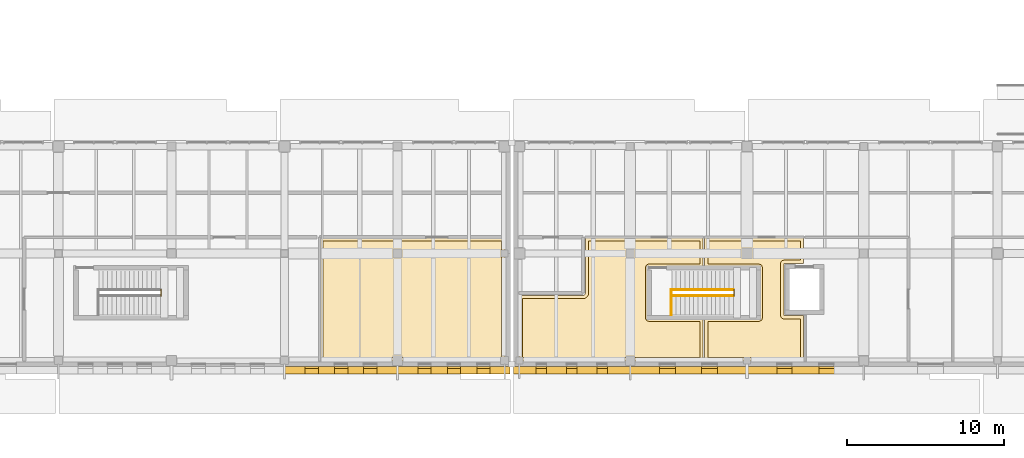
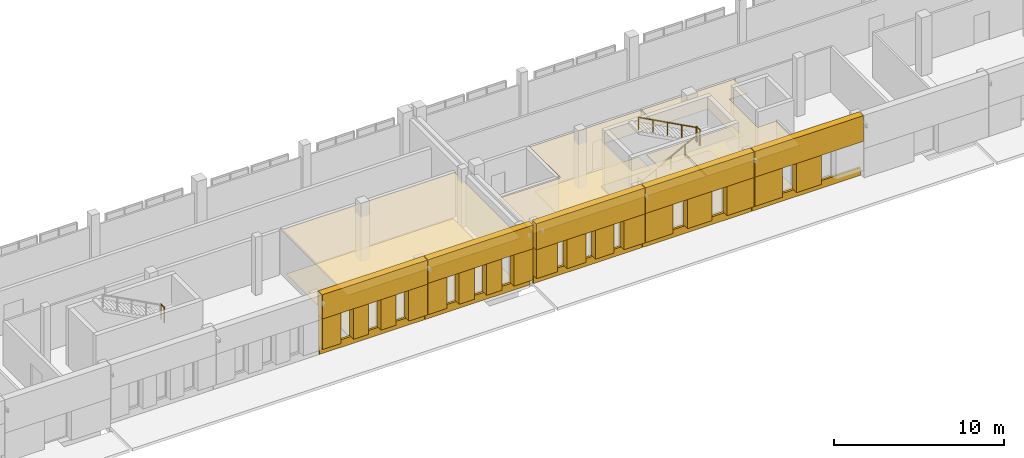
# One storey, part 70 of 77: 33 coverings, 5 railings.
"""IFC4 building model written with IfcOpenShell, lengths in metres."""

from ifc_helpers import new_model, si_unit, direction, frame, origin, origin_2d, place, context, subcontext, project, spatial, polyline, circle, outline, extrude, material, layer, layer_set, type_object, element, save


model = new_model("IFC4")

# Units and contexts
model_context = context("Model", 3, precision=1e-05, world=origin(), true_north=direction((0.0, 1.0)))
body_context = subcontext(model_context, "Body", "Model", "MODEL_VIEW")
ifc_project = project(units=[si_unit("LENGTHUNIT", "METRE"), si_unit("AREAUNIT", "SQUARE_METRE"), si_unit("VOLUMEUNIT", "CUBIC_METRE"), si_unit("PLANEANGLEUNIT", "RADIAN"), si_unit("MASSUNIT", "GRAM", prefix="KILO")], contexts=[model_context])

# Site, building, storey
site_placement = place(None, origin())
site = spatial("IfcSite", under=ifc_project, at=site_placement, CompositionType="ELEMENT")
building_placement = place(site_placement, origin())
building = spatial("IfcBuilding", under=site, at=building_placement, Name="Vardoun Plaza Health Centre", CompositionType="ELEMENT")
storey_placement = place(building_placement, origin())
storey = spatial("IfcBuildingStorey", under=building, at=storey_placement, Name="L00", CompositionType="ELEMENT", Elevation=0.0)

# Coverings
ifc_material_1 = material(Name="Hygienic Acoustic Mineral-Fibre Ceiling", Category="concrete")
ifc_layer_1 = layer(ifc_material_1, 0.02490234375)
ifc_layer_set_1 = layer_set([ifc_layer_1], Name="Hygienic Acoustic Mineral-Fibre Ceiling")
covering_type_1 = type_object("IfcCoveringType", Name="CL-01", PredefinedType="CEILING", material=ifc_layer_set_1)
covering_1_placement = place(storey_placement, frame((0.0, 0.0, 3.14501953125)))
element("IfcCovering", 1, at=covering_1_placement, inside=storey, type_object=covering_type_1, Name="Diagnostic Imaging CT Scanner Room Acoustic Ceiling", PredefinedType="CEILING", context=body_context, shape_type="SweptSolid", body=[
    extrude(outline(polyline([(105.1201171875, 12.719970703125), (105.1201171875, 4.860107421875), (93.324951171875, 4.860107421875), (93.324951171875, 12.719970703125), (105.1201171875, 12.719970703125)])), origin(), (0.0, 0.0, 1.0), 0.02490234375),
])
covering_2_placement = place(storey_placement, frame((0.0, 0.0, 3.1650390625)))
element("IfcCovering", 2, at=covering_2_placement, inside=storey, type_object=covering_type_1, Name="Ambulatory Admissions Waiting Acoustic Ceiling", PredefinedType="CEILING", context=body_context, shape_type="SweptSolid", body=[
    extrude(outline(polyline([(117.75, 10.81005859375), (114.300048828125, 10.81005859375), (114.299072265625, 10.81005859375), (114.298095703125, 10.809814453125), (114.297119140625, 10.8095703125), (114.296142578125, 10.80908203125), (114.29541015625, 10.808837890625), (114.29443359375, 10.808349609375), (114.293701171875, 10.8076171875), (114.29296875, 10.80712890625), (114.292236328125, 10.806396484375), (114.291748046875, 10.8056640625), (114.291259765625, 10.8046875), (114.290771484375, 10.8037109375), (114.290283203125, 10.802978515625), (114.290283203125, 10.802001953125), (114.2900390625, 10.801025390625), (114.2900390625, 10.800048828125), (114.2900390625, 7.60009765625), (114.2900390625, 7.59912109375), (114.290283203125, 7.597900390625), (114.290283203125, 7.59716796875), (114.290771484375, 7.59619140625), (114.291259765625, 7.59521484375), (114.291748046875, 7.594482421875), (114.292236328125, 7.59375), (114.29296875, 7.593017578125), (114.293701171875, 7.59228515625), (114.29443359375, 7.591796875), (114.29541015625, 7.59130859375), (114.296142578125, 7.5908203125), (114.297119140625, 7.59033203125), (114.298095703125, 7.590087890625), (114.299072265625, 7.590087890625), (114.300048828125, 7.590087890625), (117.75, 7.590087890625), (117.75, 4.860107421875), (106.02001953125, 4.860107421875), (106.02001953125, 9.029052734375), (110.093505859375, 9.029052734375), (110.093994140625, 9.029052734375), (110.107666015625, 9.02978515625), (110.108642578125, 9.02978515625), (110.122314453125, 9.031982421875), (110.123291015625, 9.031982421875), (110.13671875, 9.035400390625), (110.137451171875, 9.035888671875), (110.150390625, 9.040283203125), (110.1513671875, 9.040771484375), (110.163818359375, 9.046630859375), (110.16455078125, 9.047119140625), (110.176513671875, 9.05419921875), (110.17724609375, 9.0546875), (110.188232421875, 9.06298828125), (110.18896484375, 9.0634765625), (110.19921875, 9.07275390625), (110.199951171875, 9.073486328125), (110.208984375, 9.08349609375), (110.209716796875, 9.084228515625), (110.218017578125, 9.09521484375), (110.218505859375, 9.09619140625), (110.2255859375, 9.10791015625), (110.22607421875, 9.10888671875), (110.23193359375, 9.121337890625), (110.232177734375, 9.122314453125), (110.23681640625, 9.135009765625), (110.2373046875, 9.135986328125), (110.240478515625, 9.1494140625), (110.24072265625, 9.150390625), (110.24267578125, 9.163818359375), (110.242919921875, 9.164794921875), (110.243408203125, 9.1787109375), (110.243408203125, 9.17919921875), (110.243408203125, 12.719970703125), (117.75, 12.719970703125), (117.75, 10.81005859375)])), origin(), (0.0, 0.0, 1.0), 0.02490234375),
])
covering_3_placement = place(storey_placement, frame((0.0, 0.0, 3.1650390625)))
element("IfcCovering", 3, at=covering_3_placement, inside=storey, type_object=covering_type_1, Name="Pre-Operative Assessment Clinic 1 A Acoustic Ceiling", PredefinedType="CEILING", context=body_context, shape_type="SweptSolid", body=[
    extrude(outline(polyline([(117.85009765625, 4.860107421875), (117.85009765625, 7.590087890625), (121.300048828125, 7.590087890625), (121.301025390625, 7.590087890625), (121.302001953125, 7.590087890625), (121.302978515625, 7.59033203125), (121.3037109375, 7.5908203125), (121.3046875, 7.59130859375), (121.3056640625, 7.591796875), (121.306396484375, 7.59228515625), (121.30712890625, 7.593017578125), (121.3076171875, 7.59375), (121.308349609375, 7.594482421875), (121.308837890625, 7.59521484375), (121.30908203125, 7.59619140625), (121.3095703125, 7.59716796875), (121.309814453125, 7.597900390625), (121.31005859375, 7.59912109375), (121.31005859375, 7.60009765625), (121.31005859375, 10.800048828125), (121.31005859375, 10.801025390625), (121.309814453125, 10.802001953125), (121.3095703125, 10.802978515625), (121.30908203125, 10.8037109375), (121.308837890625, 10.8046875), (121.308349609375, 10.8056640625), (121.3076171875, 10.806396484375), (121.30712890625, 10.80712890625), (121.306396484375, 10.8076171875), (121.3056640625, 10.808349609375), (121.3046875, 10.808837890625), (121.3037109375, 10.80908203125), (121.302978515625, 10.8095703125), (121.302001953125, 10.809814453125), (121.301025390625, 10.81005859375), (121.300048828125, 10.81005859375), (117.85009765625, 10.81005859375), (117.85009765625, 12.719970703125), (124.14990234375, 12.719970703125), (124.14990234375, 11.06005859375), (122.89990234375, 11.06005859375), (122.89892578125, 11.06005859375), (122.89794921875, 11.059814453125), (122.897216796875, 11.0595703125), (122.896240234375, 11.05908203125), (122.895263671875, 11.058837890625), (122.894287109375, 11.058349609375), (122.893798828125, 11.0576171875), (122.892822265625, 11.05712890625), (122.892333984375, 11.056396484375), (122.8916015625, 11.0556640625), (122.89111328125, 11.0546875), (122.890869140625, 11.0537109375), (122.890380859375, 11.052978515625), (122.89013671875, 11.052001953125), (122.889892578125, 11.051025390625), (122.889892578125, 11.050048828125), (122.889892578125, 7.75), (122.889892578125, 7.7490234375), (122.89013671875, 7.748046875), (122.890380859375, 7.7470703125), (122.890869140625, 7.74609375), (122.89111328125, 7.745361328125), (122.8916015625, 7.744384765625), (122.892333984375, 7.74365234375), (122.892822265625, 7.742919921875), (122.893798828125, 7.7421875), (122.894287109375, 7.74169921875), (122.895263671875, 7.7412109375), (122.896240234375, 7.74072265625), (122.897216796875, 7.740478515625), (122.89794921875, 7.740234375), (122.89892578125, 7.739990234375), (122.89990234375, 7.739990234375), (124.14990234375, 7.739990234375), (124.14990234375, 4.860107421875), (117.85009765625, 4.860107421875)])), origin(), (0.0, 0.0, 1.0), 0.02490234375),
])
ifc_material_2 = material(Name="Pale Limestone Concrete C35/45", Category="masonry")
ifc_layer_2 = layer(ifc_material_2, 0.080078125)
ifc_layer_set_2 = layer_set([ifc_layer_2], Name="Pale Limestone Concrete C35/45")
covering_type_2 = type_object("IfcCoveringType", Name="CL-EXT1", PredefinedType="CLADDING", material=ifc_layer_set_2)
covering_4_placement = place(storey_placement, origin())
element("IfcCovering", 4, at=covering_4_placement, inside=storey, type_object=covering_type_2, Name="V4 L00 Pale Concrete Sill Band 980", PredefinedType="CLADDING", context=body_context, shape_type="SweptSolid", body=[
    extrude(outline(polyline([(105.4599609375, 4.5), (98.300048828125, 4.5), (98.300048828125, 4.360107421875), (105.4599609375, 4.360107421875), (105.4599609375, 4.5)])), origin(), (0.0, 0.0, 1.0), 0.550048828125),
])
covering_5_placement = place(storey_placement, frame((0.0, 0.0, 2.800048828125)))
element("IfcCovering", 5, at=covering_5_placement, inside=storey, type_object=covering_type_2, Name="V4 L00 Sculpted Concrete Eyebrow Hood 981", PredefinedType="CLADDING", context=body_context, shape_type="SweptSolid", body=[
    extrude(outline(polyline([(105.4599609375, 4.5), (98.300048828125, 4.5), (98.300048828125, 4.02001953125), (105.4599609375, 4.02001953125), (105.4599609375, 4.5)])), origin(), (0.0, 0.0, 1.0), 1.699951171875),
])
covering_6_placement = place(storey_placement, frame((0.0, 0.0, 0.550048828125)))
element("IfcCovering", 6, at=covering_6_placement, inside=storey, type_object=covering_type_2, Name="V4 L00 Deep-Punched Slot Concrete Reveal Pier 982", PredefinedType="CLADDING", context=body_context, shape_type="SweptSolid", body=[
    extrude(outline(polyline([(105.4599609375, 4.5), (104.162109375, 4.5), (104.162109375, 4.02001953125), (105.4599609375, 4.02001953125), (105.4599609375, 4.5)])), origin(), (0.0, 0.0, 1.0), 2.25),
])
covering_7_placement = place(storey_placement, frame((0.0, 0.0, 0.550048828125)))
element("IfcCovering", 7, at=covering_7_placement, inside=storey, type_object=covering_type_2, Name="V4 L00 Deep-Punched Slot Concrete Reveal Pier 983", PredefinedType="CLADDING", context=body_context, shape_type="SweptSolid", body=[
    extrude(outline(polyline([(103.342041015625, 4.5), (102.2900390625, 4.5), (102.2900390625, 4.02001953125), (103.342041015625, 4.02001953125), (103.342041015625, 4.5)])), origin(), (0.0, 0.0, 1.0), 2.25),
])
covering_8_placement = place(storey_placement, frame((0.0, 0.0, 0.550048828125)))
element("IfcCovering", 8, at=covering_8_placement, inside=storey, type_object=covering_type_2, Name="V4 L00 Deep-Punched Slot Concrete Reveal Pier 984", PredefinedType="CLADDING", context=body_context, shape_type="SweptSolid", body=[
    extrude(outline(polyline([(101.469970703125, 4.5), (100.41796875, 4.5), (100.41796875, 4.02001953125), (101.469970703125, 4.02001953125), (101.469970703125, 4.5)])), origin(), (0.0, 0.0, 1.0), 2.25),
])
covering_9_placement = place(storey_placement, frame((0.0, 0.0, 0.550048828125)))
element("IfcCovering", 9, at=covering_9_placement, inside=storey, type_object=covering_type_2, Name="V4 L00 Deep-Punched Slot Concrete Reveal Pier 985", PredefinedType="CLADDING", context=body_context, shape_type="SweptSolid", body=[
    extrude(outline(polyline([(99.597900390625, 4.5), (98.300048828125, 4.5), (98.300048828125, 4.02001953125), (99.597900390625, 4.02001953125), (99.597900390625, 4.5)])), origin(), (0.0, 0.0, 1.0), 2.25),
])
covering_10_placement = place(storey_placement, origin())
element("IfcCovering", 10, at=covering_10_placement, inside=storey, type_object=covering_type_2, Name="V4 L00 Pale Concrete Sill Band 986", PredefinedType="CLADDING", context=body_context, shape_type="SweptSolid", body=[
    extrude(outline(polyline([(98.260009765625, 4.5), (91.10009765625, 4.5), (91.10009765625, 4.360107421875), (98.260009765625, 4.360107421875), (98.260009765625, 4.5)])), origin(), (0.0, 0.0, 1.0), 0.550048828125),
])
covering_11_placement = place(storey_placement, frame((0.0, 0.0, 2.75)))
element("IfcCovering", 11, at=covering_11_placement, inside=storey, type_object=covering_type_2, Name="V4 L00 Sculpted Concrete Eyebrow Hood 987", PredefinedType="CLADDING", context=body_context, shape_type="SweptSolid", body=[
    extrude(outline(polyline([(98.260009765625, 4.5), (91.10009765625, 4.5), (91.10009765625, 4.02001953125), (98.260009765625, 4.02001953125), (98.260009765625, 4.5)])), origin(), (0.0, 0.0, 1.0), 1.75),
])
covering_12_placement = place(storey_placement, frame((0.0, 0.0, 0.550048828125)))
element("IfcCovering", 12, at=covering_12_placement, inside=storey, type_object=covering_type_2, Name="V4 L00 Deep-Punched Slot Concrete Reveal Pier 988", PredefinedType="CLADDING", context=body_context, shape_type="SweptSolid", body=[
    extrude(outline(polyline([(98.260009765625, 4.5), (96.98193359375, 4.5), (96.98193359375, 4.02001953125), (98.260009765625, 4.02001953125), (98.260009765625, 4.5)])), origin(), (0.0, 0.0, 1.0), 2.199951171875),
])
covering_13_placement = place(storey_placement, frame((0.0, 0.0, 0.550048828125)))
element("IfcCovering", 13, at=covering_13_placement, inside=storey, type_object=covering_type_2, Name="V4 L00 Deep-Punched Slot Concrete Reveal Pier 989", PredefinedType="CLADDING", context=body_context, shape_type="SweptSolid", body=[
    extrude(outline(polyline([(96.1220703125, 4.5), (95.110107421875, 4.5), (95.110107421875, 4.02001953125), (96.1220703125, 4.02001953125), (96.1220703125, 4.5)])), origin(), (0.0, 0.0, 1.0), 2.199951171875),
])
covering_14_placement = place(storey_placement, frame((0.0, 0.0, 0.550048828125)))
element("IfcCovering", 14, at=covering_14_placement, inside=storey, type_object=covering_type_2, Name="V4 L00 Deep-Punched Slot Concrete Reveal Pier 990", PredefinedType="CLADDING", context=body_context, shape_type="SweptSolid", body=[
    extrude(outline(polyline([(94.25, 4.5), (93.238037109375, 4.5), (93.238037109375, 4.02001953125), (94.25, 4.02001953125), (94.25, 4.5)])), origin(), (0.0, 0.0, 1.0), 2.199951171875),
])
covering_15_placement = place(storey_placement, frame((0.0, 0.0, 0.550048828125)))
element("IfcCovering", 15, at=covering_15_placement, inside=storey, type_object=covering_type_2, Name="V4 L00 Deep-Punched Slot Concrete Reveal Pier 991", PredefinedType="CLADDING", context=body_context, shape_type="SweptSolid", body=[
    extrude(outline(polyline([(92.3779296875, 4.5), (91.10009765625, 4.5), (91.10009765625, 4.02001953125), (92.3779296875, 4.02001953125), (92.3779296875, 4.5)])), origin(), (0.0, 0.0, 1.0), 2.199951171875),
])
covering_16_placement = place(storey_placement, origin())
element("IfcCovering", 16, at=covering_16_placement, inside=storey, type_object=covering_type_2, Name="V5 L00 Pale Concrete Sill Band 1107", PredefinedType="CLADDING", context=body_context, shape_type="SweptSolid", body=[
    extrude(outline(polyline([(127.9599609375, 4.5), (120.56005859375, 4.5), (120.56005859375, 4.360107421875), (127.9599609375, 4.360107421875), (127.9599609375, 4.5)])), origin(), (0.0, 0.0, 1.0), 0.550048828125),
])
covering_17_placement = place(storey_placement, frame((0.0, 0.0, 2.64990234375)))
element("IfcCovering", 17, at=covering_17_placement, inside=storey, type_object=covering_type_2, Name="V5 L00 Sculpted Concrete Eyebrow Hood 1108", PredefinedType="CLADDING", context=body_context, shape_type="SweptSolid", body=[
    extrude(outline(polyline([(127.9599609375, 4.5), (120.56005859375, 4.5), (120.56005859375, 4.02001953125), (127.9599609375, 4.02001953125), (127.9599609375, 4.5)])), origin(), (0.0, 0.0, 1.0), 1.85009765625),
])
covering_18_placement = place(storey_placement, frame((0.0, 0.0, 0.550048828125)))
element("IfcCovering", 18, at=covering_18_placement, inside=storey, type_object=covering_type_2, Name="V5 L00 Deep-Punched Slot Concrete Reveal Pier 1110", PredefinedType="CLADDING", context=body_context, shape_type="SweptSolid", body=[
    extrude(outline(polyline([(125.119140625, 4.5), (123.40087890625, 4.5), (123.40087890625, 4.02001953125), (125.119140625, 4.02001953125), (125.119140625, 4.5)])), origin(), (0.0, 0.0, 1.0), 2.099853515625),
])
covering_19_placement = place(storey_placement, frame((0.0, 0.0, 0.550048828125)))
element("IfcCovering", 19, at=covering_19_placement, inside=storey, type_object=covering_type_2, Name="V5 L00 Deep-Punched Slot Concrete Reveal Pier 1111", PredefinedType="CLADDING", context=body_context, shape_type="SweptSolid", body=[
    extrude(outline(polyline([(122.44091796875, 4.5), (120.56005859375, 4.5), (120.56005859375, 4.02001953125), (122.44091796875, 4.02001953125), (122.44091796875, 4.5)])), origin(), (0.0, 0.0, 1.0), 2.099853515625),
])
covering_20_placement = place(storey_placement, origin())
element("IfcCovering", 20, at=covering_20_placement, inside=storey, type_object=covering_type_2, Name="V5 L00 Pale Concrete Sill Band 1112", PredefinedType="CLADDING", context=body_context, shape_type="SweptSolid", body=[
    extrude(outline(polyline([(120.52001953125, 4.5), (113.1201171875, 4.5), (113.1201171875, 4.360107421875), (120.52001953125, 4.360107421875), (120.52001953125, 4.5)])), origin(), (0.0, 0.0, 1.0), 0.550048828125),
])
covering_21_placement = place(storey_placement, frame((0.0, 0.0, 2.64990234375)))
element("IfcCovering", 21, at=covering_21_placement, inside=storey, type_object=covering_type_2, Name="V5 L00 Sculpted Concrete Eyebrow Hood 1113", PredefinedType="CLADDING", context=body_context, shape_type="SweptSolid", body=[
    extrude(outline(polyline([(120.52001953125, 4.5), (113.1201171875, 4.5), (113.1201171875, 4.02001953125), (120.52001953125, 4.02001953125), (120.52001953125, 4.5)])), origin(), (0.0, 0.0, 1.0), 1.85009765625),
])
covering_22_placement = place(storey_placement, frame((0.0, 0.0, 0.550048828125)))
element("IfcCovering", 22, at=covering_22_placement, inside=storey, type_object=covering_type_2, Name="V5 L00 Deep-Punched Slot Concrete Reveal Pier 1114", PredefinedType="CLADDING", context=body_context, shape_type="SweptSolid", body=[
    extrude(outline(polyline([(120.52001953125, 4.5), (118.6591796875, 4.5), (118.6591796875, 4.02001953125), (120.52001953125, 4.02001953125), (120.52001953125, 4.5)])), origin(), (0.0, 0.0, 1.0), 2.099853515625),
])
covering_23_placement = place(storey_placement, frame((0.0, 0.0, 0.550048828125)))
element("IfcCovering", 23, at=covering_23_placement, inside=storey, type_object=covering_type_2, Name="V5 L00 Deep-Punched Slot Concrete Reveal Pier 1115", PredefinedType="CLADDING", context=body_context, shape_type="SweptSolid", body=[
    extrude(outline(polyline([(117.6591796875, 4.5), (115.980712890625, 4.5), (115.980712890625, 4.02001953125), (117.6591796875, 4.02001953125), (117.6591796875, 4.5)])), origin(), (0.0, 0.0, 1.0), 2.099853515625),
])
covering_24_placement = place(storey_placement, frame((0.0, 0.0, 0.550048828125)))
element("IfcCovering", 24, at=covering_24_placement, inside=storey, type_object=covering_type_2, Name="V5 L00 Deep-Punched Slot Concrete Reveal Pier 1116", PredefinedType="CLADDING", context=body_context, shape_type="SweptSolid", body=[
    extrude(outline(polyline([(114.980712890625, 4.5), (113.1201171875, 4.5), (113.1201171875, 4.02001953125), (114.980712890625, 4.02001953125), (114.980712890625, 4.5)])), origin(), (0.0, 0.0, 1.0), 2.099853515625),
])
covering_25_placement = place(storey_placement, origin())
element("IfcCovering", 25, at=covering_25_placement, inside=storey, type_object=covering_type_2, Name="V5 L00 Pale Concrete Sill Band 1117", PredefinedType="CLADDING", context=body_context, shape_type="SweptSolid", body=[
    extrude(outline(polyline([(113.080078125, 4.5), (105.679931640625, 4.5), (105.679931640625, 4.360107421875), (113.080078125, 4.360107421875), (113.080078125, 4.5)])), origin(), (0.0, 0.0, 1.0), 0.550048828125),
])
covering_26_placement = place(storey_placement, frame((0.0, 0.0, 2.6298828125)))
element("IfcCovering", 26, at=covering_26_placement, inside=storey, type_object=covering_type_2, Name="V5 L00 Sculpted Concrete Eyebrow Hood 1118", PredefinedType="CLADDING", context=body_context, shape_type="SweptSolid", body=[
    extrude(outline(polyline([(113.080078125, 4.5), (105.679931640625, 4.5), (105.679931640625, 4.02001953125), (113.080078125, 4.02001953125), (113.080078125, 4.5)])), origin(), (0.0, 0.0, 1.0), 1.8701171875),
])
covering_27_placement = place(storey_placement, frame((0.0, 0.0, 0.550048828125)))
element("IfcCovering", 27, at=covering_27_placement, inside=storey, type_object=covering_type_2, Name="V5 L00 Deep-Punched Slot Concrete Reveal Pier 1119", PredefinedType="CLADDING", context=body_context, shape_type="SweptSolid", body=[
    extrude(outline(polyline([(113.080078125, 4.5), (111.644287109375, 4.5), (111.644287109375, 4.02001953125), (113.080078125, 4.02001953125), (113.080078125, 4.5)])), origin(), (0.0, 0.0, 1.0), 2.079833984375),
])
covering_28_placement = place(storey_placement, frame((0.0, 0.0, 0.550048828125)))
element("IfcCovering", 28, at=covering_28_placement, inside=storey, type_object=covering_type_2, Name="V5 L00 Deep-Punched Slot Concrete Reveal Pier 1120", PredefinedType="CLADDING", context=body_context, shape_type="SweptSolid", body=[
    extrude(outline(polyline([(110.984375, 4.5), (109.7099609375, 4.5), (109.7099609375, 4.02001953125), (110.984375, 4.02001953125), (110.984375, 4.5)])), origin(), (0.0, 0.0, 1.0), 2.079833984375),
])
covering_29_placement = place(storey_placement, frame((0.0, 0.0, 0.550048828125)))
element("IfcCovering", 29, at=covering_29_placement, inside=storey, type_object=covering_type_2, Name="V5 L00 Deep-Punched Slot Concrete Reveal Pier 1121", PredefinedType="CLADDING", context=body_context, shape_type="SweptSolid", body=[
    extrude(outline(polyline([(109.050048828125, 4.5), (107.775634765625, 4.5), (107.775634765625, 4.02001953125), (109.050048828125, 4.02001953125), (109.050048828125, 4.5)])), origin(), (0.0, 0.0, 1.0), 2.079833984375),
])
covering_30_placement = place(storey_placement, frame((0.0, 0.0, 0.550048828125)))
element("IfcCovering", 30, at=covering_30_placement, inside=storey, type_object=covering_type_2, Name="V5 L00 Deep-Punched Slot Concrete Reveal Pier 1122", PredefinedType="CLADDING", context=body_context, shape_type="SweptSolid", body=[
    extrude(outline(polyline([(107.115478515625, 4.5), (105.679931640625, 4.5), (105.679931640625, 4.02001953125), (107.115478515625, 4.02001953125), (107.115478515625, 4.5)])), origin(), (0.0, 0.0, 1.0), 2.079833984375),
])
ifc_material_3 = material(Name="Polished Lebanese Limestone Terrazzo", Category="masonry")
ifc_layer_3 = layer(ifc_material_3, 0.030029296875)
ifc_layer_set_3 = layer_set([ifc_layer_3], Name="Polished Lebanese Limestone Terrazzo")
covering_type_3 = type_object("IfcCoveringType", Name="FL-02", PredefinedType="FLOORING", material=ifc_layer_set_3)
covering_31_placement = place(storey_placement, origin())
element("IfcCovering", 31, at=covering_31_placement, inside=storey, type_object=covering_type_3, Name="Ambulatory Admissions Waiting Floor Finish", PredefinedType="FLOORING", context=body_context, shape_type="SweptSolid", body=[
    extrude(outline(polyline([(117.5400390625, 11.02001953125), (114.300048828125, 11.02001953125), (114.2783203125, 11.018798828125), (114.257080078125, 11.015869140625), (114.236083984375, 11.010498046875), (114.2158203125, 11.00341796875), (114.1962890625, 10.993896484375), (114.177734375, 10.98291015625), (114.160400390625, 10.97021484375), (114.144287109375, 10.95556640625), (114.1298828125, 10.939697265625), (114.1171875, 10.922119140625), (114.10595703125, 10.90380859375), (114.0966796875, 10.88427734375), (114.089599609375, 10.864013671875), (114.084228515625, 10.843017578125), (114.0810546875, 10.821533203125), (114.080078125, 10.800048828125), (114.080078125, 7.60009765625), (114.0810546875, 7.578369140625), (114.084228515625, 7.55712890625), (114.089599609375, 7.5361328125), (114.0966796875, 7.515869140625), (114.10595703125, 7.496337890625), (114.1171875, 7.477783203125), (114.1298828125, 7.46044921875), (114.144287109375, 7.4443359375), (114.160400390625, 7.429931640625), (114.177734375, 7.4169921875), (114.1962890625, 7.406005859375), (114.2158203125, 7.396728515625), (114.236083984375, 7.389404296875), (114.257080078125, 7.38427734375), (114.2783203125, 7.381103515625), (114.300048828125, 7.3798828125), (117.5400390625, 7.3798828125), (117.5400390625, 5.070068359375), (106.22998046875, 5.070068359375), (106.22998046875, 8.819091796875), (110.093505859375, 8.819091796875), (110.104736328125, 8.8193359375), (110.118408203125, 8.820068359375), (110.13916015625, 8.822021484375), (110.15283203125, 8.82421875), (110.17529296875, 8.82861328125), (110.188720703125, 8.83203125), (110.20751953125, 8.837890625), (110.220458984375, 8.84228515625), (110.24169921875, 8.85107421875), (110.25390625, 8.85693359375), (110.271728515625, 8.866455078125), (110.283447265625, 8.87353515625), (110.302734375, 8.88623046875), (110.313720703125, 8.89453125), (110.32958984375, 8.907470703125), (110.33984375, 8.916748046875), (110.35595703125, 8.932861328125), (110.364990234375, 8.943115234375), (110.378173828125, 8.958740234375), (110.38623046875, 8.9697265625), (110.3984375, 8.98779296875), (110.405517578125, 8.999755859375), (110.41650390625, 9.0205078125), (110.42236328125, 9.032958984375), (110.429443359375, 9.05029296875), (110.43408203125, 9.063232421875), (110.44091796875, 9.08544921875), (110.4443359375, 9.098876953125), (110.448486328125, 9.119873046875), (110.450439453125, 9.13330078125), (110.452392578125, 9.154296875), (110.453125, 9.16796875), (110.45361328125, 9.17919921875), (110.45361328125, 12.510009765625), (117.5400390625, 12.510009765625), (117.5400390625, 11.02001953125)])), origin(), (0.0, 0.0, 1.0), 0.030029296875),
])
ifc_material_4 = material(Name="Seamless Conductive Clinical Vinyl Flooring", Category="concrete")
ifc_layer_4 = layer(ifc_material_4, 0.014892578125)
ifc_layer_set_4 = layer_set([ifc_layer_4], Name="Seamless Conductive Clinical Vinyl Flooring")
covering_type_4 = type_object("IfcCoveringType", Name="FL-01", PredefinedType="FLOORING", material=ifc_layer_set_4)
covering_32_placement = place(storey_placement, origin())
element("IfcCovering", 32, at=covering_32_placement, inside=storey, type_object=covering_type_4, Name="Diagnostic Imaging CT Scanner Room Floor Finish", PredefinedType="FLOORING", context=body_context, shape_type="SweptSolid", body=[
    extrude(outline(polyline([(104.909912109375, 12.510009765625), (104.909912109375, 5.070068359375), (93.534912109375, 5.070068359375), (93.534912109375, 12.510009765625), (104.909912109375, 12.510009765625)])), origin(), (0.0, 0.0, 1.0), 0.014892578125),
])
covering_33_placement = place(storey_placement, origin())
element("IfcCovering", 33, at=covering_33_placement, inside=storey, type_object=covering_type_4, Name="Pre-Operative Assessment Clinic 1 A Floor Finish", PredefinedType="FLOORING", context=body_context, shape_type="SweptSolid", body=[
    extrude(outline(polyline([(118.06005859375, 5.070068359375), (118.06005859375, 7.3798828125), (121.300048828125, 7.3798828125), (121.321533203125, 7.381103515625), (121.343017578125, 7.38427734375), (121.364013671875, 7.389404296875), (121.38427734375, 7.396728515625), (121.40380859375, 7.406005859375), (121.422119140625, 7.4169921875), (121.439697265625, 7.429931640625), (121.45556640625, 7.4443359375), (121.47021484375, 7.46044921875), (121.48291015625, 7.477783203125), (121.493896484375, 7.496337890625), (121.50341796875, 7.515869140625), (121.510498046875, 7.5361328125), (121.515869140625, 7.55712890625), (121.518798828125, 7.578369140625), (121.52001953125, 7.60009765625), (121.52001953125, 10.800048828125), (121.518798828125, 10.821533203125), (121.515869140625, 10.843017578125), (121.510498046875, 10.864013671875), (121.50341796875, 10.88427734375), (121.493896484375, 10.90380859375), (121.48291015625, 10.922119140625), (121.47021484375, 10.939697265625), (121.45556640625, 10.95556640625), (121.439697265625, 10.97021484375), (121.422119140625, 10.98291015625), (121.40380859375, 10.993896484375), (121.38427734375, 11.00341796875), (121.364013671875, 11.010498046875), (121.343017578125, 11.015869140625), (121.321533203125, 11.018798828125), (121.300048828125, 11.02001953125), (118.06005859375, 11.02001953125), (118.06005859375, 12.510009765625), (123.93994140625, 12.510009765625), (123.93994140625, 11.27001953125), (122.89990234375, 11.27001953125), (122.87841796875, 11.268798828125), (122.857177734375, 11.265869140625), (122.836181640625, 11.260498046875), (122.81591796875, 11.25341796875), (122.79638671875, 11.243896484375), (122.77783203125, 11.23291015625), (122.760498046875, 11.22021484375), (122.744384765625, 11.20556640625), (122.72998046875, 11.189697265625), (122.717041015625, 11.172119140625), (122.7060546875, 11.15380859375), (122.69677734375, 11.13427734375), (122.689453125, 11.114013671875), (122.68408203125, 11.093017578125), (122.68115234375, 11.071533203125), (122.679931640625, 11.050048828125), (122.679931640625, 7.75), (122.68115234375, 7.728515625), (122.68408203125, 7.70703125), (122.689453125, 7.68603515625), (122.69677734375, 7.665771484375), (122.7060546875, 7.646240234375), (122.717041015625, 7.627685546875), (122.72998046875, 7.6103515625), (122.744384765625, 7.594482421875), (122.760498046875, 7.579833984375), (122.77783203125, 7.567138671875), (122.79638671875, 7.555908203125), (122.81591796875, 7.546630859375), (122.836181640625, 7.53955078125), (122.857177734375, 7.5341796875), (122.87841796875, 7.531005859375), (122.89990234375, 7.530029296875), (123.93994140625, 7.530029296875), (123.93994140625, 5.070068359375), (118.06005859375, 5.070068359375)])), origin(), (0.0, 0.0, 1.0), 0.014892578125),
])

# Railings
ifc_material_5 = material(Name="Painted Steel S275JR Stair-Well Guardrail", Category="steel")
railing_type_1 = type_object("IfcRailingType", Name="GR-04", PredefinedType="GUARDRAIL", material=ifc_material_5)
railing_1_placement = place(storey_placement, frame((83.2099609375, 9.0048828125, 2.25)))
element("IfcRailing", 34, at=railing_1_placement, inside=storey, type_object=railing_type_1, Name="Stair ST-C7-L00 Mid-Landing Well Guard", PredefinedType="GUARDRAIL", context=body_context, shape_type="SweptSolid", body=[
    extrude(circle(Radius=0.02392578125, at=origin_2d()), frame((0.0, 0.0, 1.09619140625), z_axis=(0.0, 1.0, 0.0), x_axis=(-1.0, 0.0, 0.0)), (0.0, 0.0, 1.0), 0.39013671875),
    extrude(circle(Radius=0.02099609375, at=origin_2d()), origin(), (0.0, 0.0, 1.0), 1.072021484375),
    extrude(circle(Radius=0.02099609375, at=origin_2d()), frame((0.0, 0.39013671875, 0.0)), (0.0, 0.0, 1.0), 1.072021484375),
])
railing_2_placement = place(storey_placement, frame((115.7099609375, 7.780029296875, 0.0)))
element("IfcRailing", 35, at=railing_2_placement, inside=storey, type_object=railing_type_1, Name="Stair ST-C8-B1 Upper Landing Well Guard", PredefinedType="GUARDRAIL", context=body_context, shape_type="SweptSolid", body=[
    extrude(circle(Radius=0.02392578125, at=origin_2d()), frame((0.0, 0.0, 1.09619140625), z_axis=(0.0, 1.0, 0.0), x_axis=(-1.0, 0.0, 0.0)), (0.0, 0.0, 1.0), 1.614990234375),
    extrude(circle(Radius=0.02099609375, at=origin_2d()), origin(), (0.0, 0.0, 1.0), 1.072021484375),
    extrude(circle(Radius=0.02099609375, at=origin_2d()), frame((0.0, 0.8076171875, 0.0)), (0.0, 0.0, 1.0), 1.072021484375),
    extrude(circle(Radius=0.02099609375, at=origin_2d()), frame((0.0, 1.614990234375, 0.0)), (0.0, 0.0, 1.0), 1.072021484375),
])
railing_3_placement = place(storey_placement, frame((119.7099609375, 9.0048828125, 2.25)))
element("IfcRailing", 36, at=railing_3_placement, inside=storey, type_object=railing_type_1, Name="Stair ST-C8-L00 Mid-Landing Well Guard", PredefinedType="GUARDRAIL", context=body_context, shape_type="SweptSolid", body=[
    extrude(circle(Radius=0.02392578125, at=origin_2d()), frame((0.0, 0.0, 1.09619140625), z_axis=(0.0, 1.0, 0.0), x_axis=(-1.0, 0.0, 0.0)), (0.0, 0.0, 1.0), 0.39013671875),
    extrude(circle(Radius=0.02099609375, at=origin_2d()), origin(), (0.0, 0.0, 1.0), 1.072021484375),
    extrude(circle(Radius=0.02099609375, at=origin_2d()), frame((0.0, 0.39013671875, 0.0)), (0.0, 0.0, 1.0), 1.072021484375),
])
ifc_material_6 = material(Name="Brushed Stainless Steel Grade 316L", Category="steel")
railing_type_2 = type_object("IfcRailingType", Name="HR-01", PredefinedType="HANDRAIL", material=ifc_material_6)
railing_4_placement = place(storey_placement, frame((115.75, 9.0048828125, 0.14990234375)))
element("IfcRailing", 37, at=railing_4_placement, inside=storey, type_object=railing_type_2, Name="Stair ST-C8-L00 Flight 1 Handrail", PredefinedType="HANDRAIL", context=body_context, shape_type="SweptSolid", body=[
    extrude(circle(Radius=0.02392578125, at=origin_2d()), frame((0.0, 0.0, 0.89599609375), z_axis=(0.881466911329, 0.0, 0.472245787945), x_axis=(0.0, 1.0, 0.0)), (0.0, 0.0, 1.0), 4.447021484375),
    extrude(circle(Radius=0.02099609375, at=origin_2d()), origin(), (0.0, 0.0, 1.0), 0.871826171875),
    extrude(circle(Radius=0.02099609375, at=origin_2d()), frame((0.97998046875, 0.0, 0.52490234375)), (0.0, 0.0, 1.0), 0.871826171875),
    extrude(circle(Radius=0.02099609375, at=origin_2d()), frame((1.9599609375, 0.0, 1.050048828125)), (0.0, 0.0, 1.0), 0.871826171875),
    extrude(circle(Radius=0.02099609375, at=origin_2d()), frame((2.93994140625, 0.0, 1.5751953125)), (0.0, 0.0, 1.0), 0.871826171875),
    extrude(circle(Radius=0.02099609375, at=origin_2d()), frame((3.919921875, 0.0, 2.10009765625)), (0.0, 0.0, 1.0), 0.871826171875),
])
railing_5_placement = place(storey_placement, frame((119.669921875, 9.39501953125, 2.39990234375)))
element("IfcRailing", 38, at=railing_5_placement, inside=storey, type_object=railing_type_2, Name="Stair ST-C8-L00 Flight 2 Handrail", PredefinedType="HANDRAIL", context=body_context, shape_type="SweptSolid", body=[
    extrude(circle(Radius=0.02392578125, at=origin_2d()), frame((0.0, 0.0, 0.89599609375), z_axis=(-0.881466911329, 0.0, 0.472245787945), x_axis=(0.0, -1.0, 0.0)), (0.0, 0.0, 1.0), 4.447021484375),
    extrude(circle(Radius=0.02099609375, at=origin_2d()), origin(), (0.0, 0.0, 1.0), 0.871826171875),
    extrude(circle(Radius=0.02099609375, at=origin_2d()), frame((-0.97998046875, 0.0, 0.52490234375)), (0.0, 0.0, 1.0), 0.871826171875),
    extrude(circle(Radius=0.02099609375, at=origin_2d()), frame((-1.9599609375, 0.0, 1.050048828125)), (0.0, 0.0, 1.0), 0.871826171875),
    extrude(circle(Radius=0.02099609375, at=origin_2d()), frame((-2.93994140625, 0.0, 1.5751953125)), (0.0, 0.0, 1.0), 0.871826171875),
    extrude(circle(Radius=0.02099609375, at=origin_2d()), frame((-3.919921875, 0.0, 2.10009765625)), (0.0, 0.0, 1.0), 0.871826171875),
])

save(model, "model.ifc")
